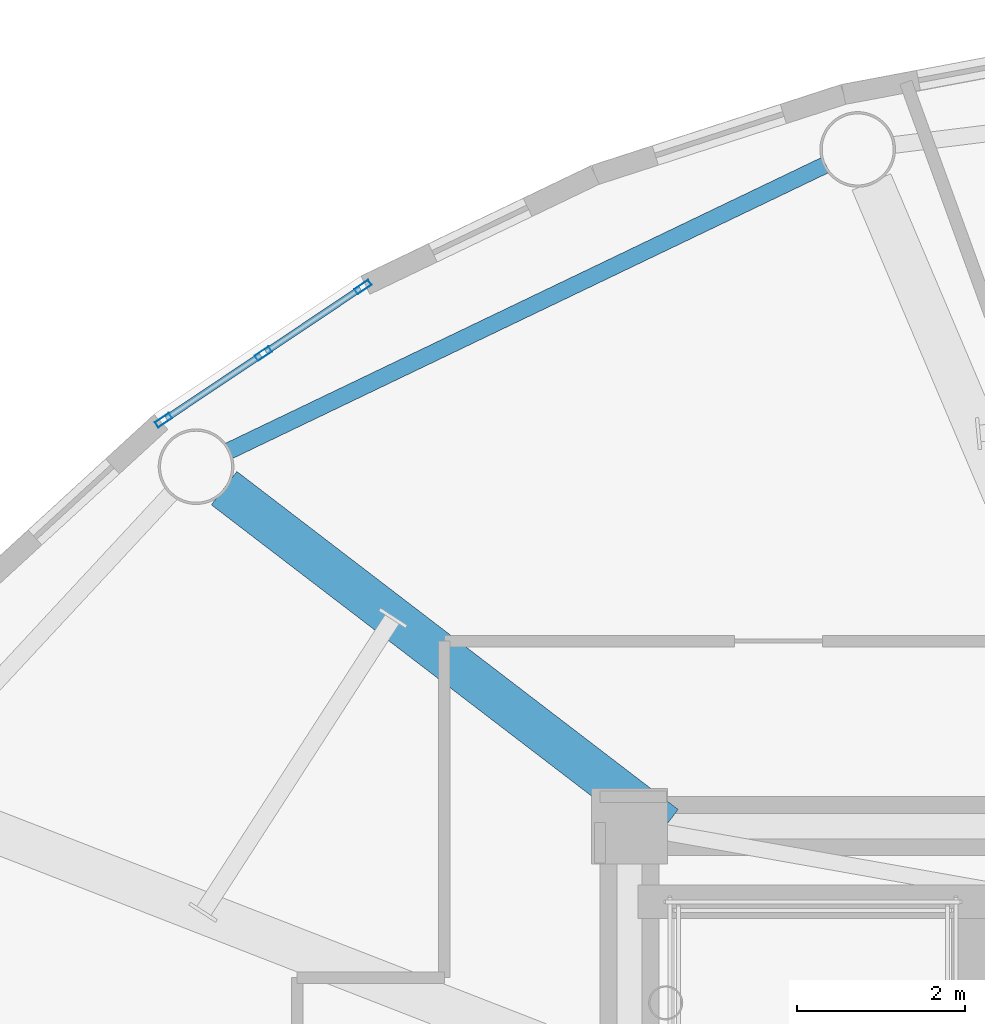
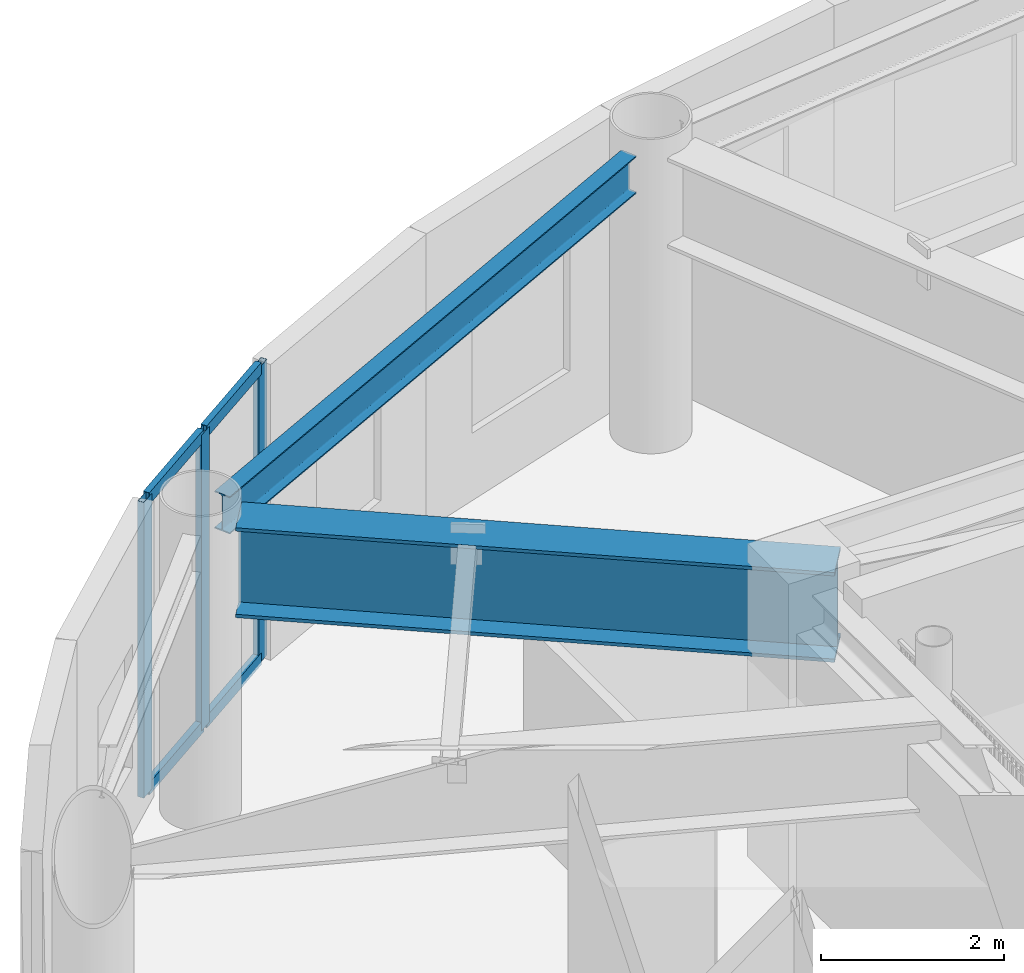
# One storey, part 8 of 26: 7 members, 2 beams, 1 element without a shape of its own.
"""IFC4 building model written with IfcOpenShell, lengths in metres."""

from ifc_helpers import new_model, si_unit, direction, frame, origin, origin_2d, place, context, subcontext, project, spatial, hollow_rectangle, i_section, extrude, source, transform, mapped, material, layer, layer_set, material_profile, profile_set, type_object, element, aggregate, save


model = new_model("IFC4")

# Units and contexts
model_context = context("Model", 3, precision=1e-05, world=origin(), true_north=direction((0.0, 1.0)))
body_context = subcontext(model_context, "Body", "Model", "MODEL_VIEW")
ifc_project = project(units=[si_unit("LENGTHUNIT", "METRE"), si_unit("AREAUNIT", "SQUARE_METRE"), si_unit("VOLUMEUNIT", "CUBIC_METRE"), si_unit("PLANEANGLEUNIT", "RADIAN"), si_unit("MASSUNIT", "GRAM", prefix="KILO")], contexts=[model_context])

# Site, building, storey
site_placement = place(None, origin())
site = spatial("IfcSite", under=ifc_project, at=site_placement, CompositionType="ELEMENT")
building_placement = place(site_placement, origin())
building = spatial("IfcBuilding", under=site, at=building_placement, Name="Linh Dai School and Residence Tower", CompositionType="ELEMENT")
storey_placement = place(building_placement, frame((0.0, 0.0, 351.0)))
storey = spatial("IfcBuildingStorey", under=building, at=storey_placement, Name="L87", CompositionType="ELEMENT", Elevation=351.0)

# Beams
ifc_material_1 = material(Name="Structural Steel S355JR", Category="steel")
ifc_material_profile_1 = material_profile(ifc_material_1, i_section(OverallWidth=0.199951171875, OverallDepth=0.5, WebThickness=0.01025390625, FlangeThickness=0.01611328125, FilletRadius=0.02099609375, at=origin_2d()), Name="IPE 500")
ifc_profile_set_1 = profile_set([ifc_material_profile_1], Name="Structural Steel S355JR")
beam_type_1 = type_object("IfcBeamType", Name="BM-RB50", PredefinedType="BEAM", material=ifc_profile_set_1)
beam_1_placement = place(storey_placement, frame((29.483642578125, 41.312255859375, 3.699951171875), z_axis=(-0.901701330417, -0.432359469335, 0.0), x_axis=(0.432359469335, -0.901701330417, 0.0)))
element("IfcBeam", 1, at=beam_1_placement, inside=storey, type_object=beam_type_1, Name="L87 Perimeter Elliptical Ring Beam 06", PredefinedType="BEAM", context=body_context, shape_type="SweptSolid", body=[
    extrude(i_section(OverallWidth=0.199951171875, OverallDepth=0.5, WebThickness=0.01025390625, FlangeThickness=0.01611328125, FilletRadius=0.02099609375, at=origin_2d()), origin(), (0.0, 0.0, 1.0), 7.88232421875),
])
ifc_material_profile_2 = material_profile(ifc_material_1, i_section(OverallWidth=0.5, OverallDepth=1.199951171875, WebThickness=0.02392578125, FlangeThickness=0.044921875, at=origin_2d()), Name="PG 1200x500x24x45")
ifc_profile_set_2 = profile_set([ifc_material_profile_2], Name="Structural Steel S355JR")
beam_type_2 = type_object("IfcBeamType", Name="BM-TG12", PredefinedType="BEAM", material=ifc_profile_set_2)
beam_2_placement = place(storey_placement, frame((27.5771484375, 33.449951171875, 3.35009765625), z_axis=(-0.793929753809, 0.608009495006, 0.0), x_axis=(-0.608009495006, -0.793929753809, 0.0)))
element("IfcBeam", 2, at=beam_2_placement, inside=storey, type_object=beam_type_2, Name="L87 Primary Radial Floor Girder 07", PredefinedType="BEAM", context=body_context, shape_type="SweptSolid", body=[
    extrude(i_section(OverallWidth=0.5, OverallDepth=1.199951171875, WebThickness=0.02392578125, FlangeThickness=0.044921875, at=origin_2d()), origin(), (0.0, 0.0, 1.0), 6.607666015625),
])

# Curtain wall, members
ifc_material_2 = material(Name="Aluminium Anodised Curtain Wall", Category="aluminium")
ifc_layer = layer(ifc_material_2, 0.199951171875)
ifc_layer_set = layer_set([ifc_layer], Name="Aluminium Anodised Curtain Wall")
curtain_wall_type = type_object("IfcCurtainWallType", Name="CW-SYS-6", PredefinedType="USERDEFINED", material=ifc_layer_set)
curtain_wall_placement = place(storey_placement, origin())
curtain_wall = element("IfcCurtainWall", 3, at=curtain_wall_placement, inside=storey, type_object=curtain_wall_type, Name="L87 CW6 Curtain Wall 15", ObjectType="UNITISED CURTAIN WALL", PredefinedType="USERDEFINED")
ifc_material_3 = material(Name="Aluminium Alloy 6063-T6", Category="aluminium")
ifc_material_profile_3 = material_profile(ifc_material_3, hollow_rectangle(XDim=0.074951171875, YDim=0.159912109375, WallThickness=0.00390625, at=origin_2d()), Name="RHS 160x75x4")
ifc_profile_set_3 = profile_set([ifc_material_profile_3], Name="Aluminium Alloy 6063-T6")
member_type_1 = type_object("IfcMemberType", Name="CW-SYS-6-TRN", PredefinedType="USERDEFINED", material=ifc_profile_set_3)
shared_shape_1 = source(origin(), body_context, "Body", "SweptSolid", [
    extrude(hollow_rectangle(XDim=0.074951171875, YDim=0.159912109375, WallThickness=0.00390625, at=origin_2d()), origin(), (0.0, 0.0, 1.0), 1.349609375),
])
member_1_placement = place(storey_placement, frame((21.643798828125, 38.2958984375, 0.03759765625), z_axis=(0.831158719791, 0.556035234959, 0.0), x_axis=(-0.556035234959, 0.831158719791, 0.0)))
member_1 = element("IfcMember", 4, at=member_1_placement, type_object=member_type_1, Name="CW6 transom 1.1", ObjectType="TRANSOM", PredefinedType="USERDEFINED", context=body_context, shape_type="MappedRepresentation", body=[
    mapped(shared_shape_1, transform((0.0, 0.0, 0.0), x_axis=(1.0, 0.0, 0.0), y_axis=(0.0, 1.0, 0.0), z_axis=(0.0, 0.0, 1.0), scale=1.0)),
])
member_2_placement = place(storey_placement, frame((21.643798828125, 38.2958984375, 3.91259765625), z_axis=(0.831158719791, 0.556035234959, 0.0), x_axis=(-0.556035234959, 0.831158719791, 0.0)))
member_2 = element("IfcMember", 5, at=member_2_placement, type_object=member_type_1, Name="CW6 transom 1.2", ObjectType="TRANSOM", PredefinedType="USERDEFINED", context=body_context, shape_type="MappedRepresentation", body=[
    mapped(shared_shape_1, transform((0.0, 0.0, 0.0), x_axis=(1.0, 0.0, 0.0), y_axis=(0.0, 1.0, 0.0), z_axis=(0.0, 0.0, 1.0), scale=1.0)),
])
shared_shape_2 = source(origin(), body_context, "Body", "SweptSolid", [
    extrude(hollow_rectangle(XDim=0.074951171875, YDim=0.159912109375, WallThickness=0.00390625, at=origin_2d()), origin(), (0.0, 0.0, 1.0), 1.349853515625),
])
member_3_placement = place(storey_placement, frame((22.827880859375, 39.087890625, 0.03759765625), z_axis=(0.831214631805, 0.555951648862, 0.0), x_axis=(-0.555951648862, 0.831214631805, 0.0)))
member_3 = element("IfcMember", 6, at=member_3_placement, type_object=member_type_1, Name="CW6 transom 2.1", ObjectType="TRANSOM", PredefinedType="USERDEFINED", context=body_context, shape_type="MappedRepresentation", body=[
    mapped(shared_shape_2, transform((0.0, 0.0, 0.0), x_axis=(1.0, 0.0, 0.0), y_axis=(0.0, 1.0, 0.0), z_axis=(0.0, 0.0, 1.0), scale=1.0)),
])
member_4_placement = place(storey_placement, frame((22.827880859375, 39.087890625, 3.91259765625), z_axis=(0.831214631805, 0.555951648862, 0.0), x_axis=(-0.555951648862, 0.831214631805, 0.0)))
member_4 = element("IfcMember", 7, at=member_4_placement, type_object=member_type_1, Name="CW6 transom 2.2", ObjectType="TRANSOM", PredefinedType="USERDEFINED", context=body_context, shape_type="MappedRepresentation", body=[
    mapped(shared_shape_2, transform((0.0, 0.0, 0.0), x_axis=(1.0, 0.0, 0.0), y_axis=(0.0, 1.0, 0.0), z_axis=(0.0, 0.0, 1.0), scale=1.0)),
])
ifc_material_profile_4 = material_profile(ifc_material_3, hollow_rectangle(XDim=0.074951171875, YDim=0.199951171875, WallThickness=0.00390625, at=origin_2d()), Name="RHS 200x75x4")
ifc_profile_set_4 = profile_set([ifc_material_profile_4], Name="Aluminium Alloy 6063-T6")
member_type_2 = type_object("IfcMemberType", Name="CW-SYS-6-MUL", PredefinedType="MULLION", material=ifc_profile_set_4)
shared_shape_3 = source(origin(), body_context, "Body", "SweptSolid", [
    extrude(hollow_rectangle(XDim=0.074951171875, YDim=0.199951171875, WallThickness=0.00390625, at=origin_2d()), origin(), (0.0, 0.0, 1.0), 3.949951171875),
])
member_5_placement = place(storey_placement, frame((21.612548828125, 38.275146484375, 0.0), z_axis=(0.0, 0.0, 1.0), x_axis=(-0.555970777144, 0.831201837679, 0.0)))
member_5 = element("IfcMember", 8, at=member_5_placement, type_object=member_type_2, Name="CW6 mullion 1", PredefinedType="MULLION", context=body_context, shape_type="MappedRepresentation", body=[
    mapped(shared_shape_3, transform((0.0, 0.0, 0.0), x_axis=(1.0, 0.0, 0.0), y_axis=(0.0, 1.0, 0.0), z_axis=(0.0, 0.0, 1.0), scale=1.0)),
])
member_6_placement = place(storey_placement, frame((22.796875, 39.067138671875, 0.0), z_axis=(0.0, 0.0, 1.0), x_axis=(-0.555970777144, 0.831201837679, 0.0)))
member_6 = element("IfcMember", 9, at=member_6_placement, type_object=member_type_2, Name="CW6 mullion 2", PredefinedType="MULLION", context=body_context, shape_type="MappedRepresentation", body=[
    mapped(shared_shape_3, transform((0.0, 0.0, 0.0), x_axis=(1.0, 0.0, 0.0), y_axis=(0.0, 1.0, 0.0), z_axis=(0.0, 0.0, 1.0), scale=1.0)),
])
member_7_placement = place(storey_placement, frame((23.98095703125, 39.859375, 0.0), z_axis=(0.0, 0.0, 1.0), x_axis=(-0.555970777144, 0.831201837679, 0.0)))
member_7 = element("IfcMember", 10, at=member_7_placement, type_object=member_type_2, Name="CW6 mullion 3", PredefinedType="MULLION", context=body_context, shape_type="MappedRepresentation", body=[
    mapped(shared_shape_3, transform((0.0, 0.0, 0.0), x_axis=(1.0, 0.0, 0.0), y_axis=(0.0, 1.0, 0.0), z_axis=(0.0, 0.0, 1.0), scale=1.0)),
])
aggregate(curtain_wall, [member_5, member_6, member_7, member_1, member_2, member_3, member_4])

save(model, "model.ifc")
